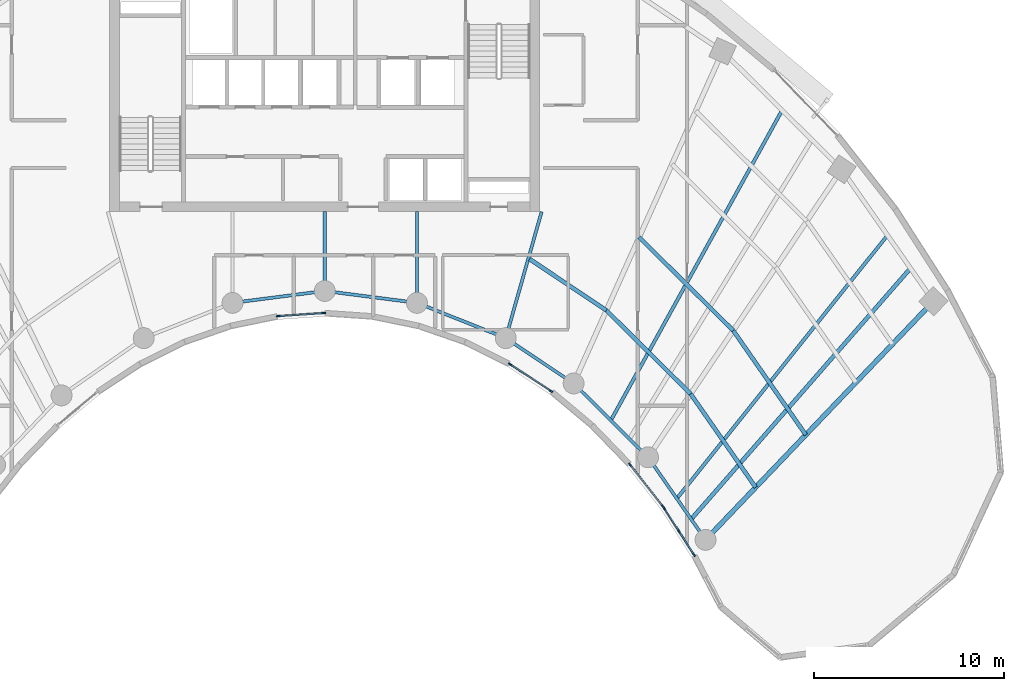
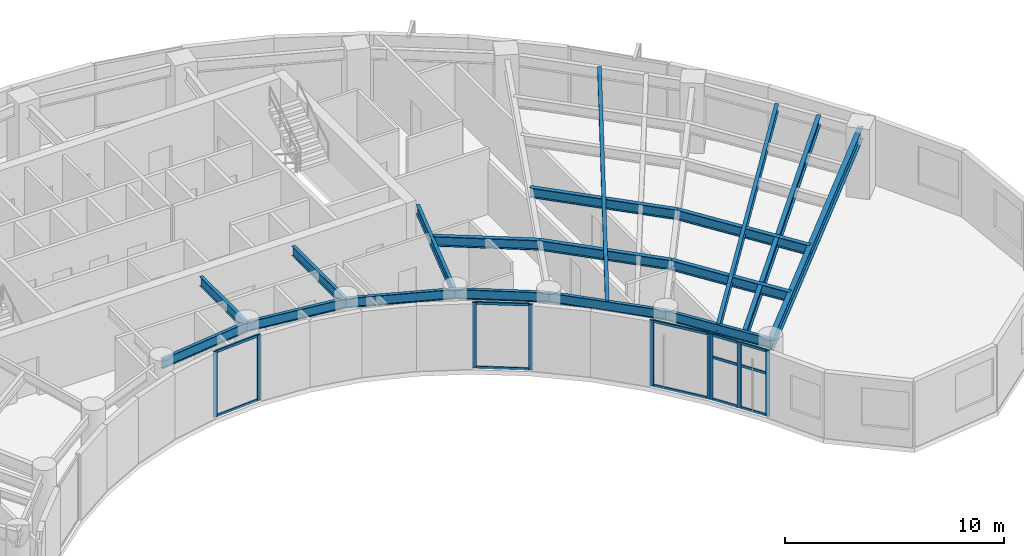
# One storey, part 3 of 13: 21 members, 18 beams, 4 elements without a shape of their own.
"""IFC4 building model written with IfcOpenShell, lengths in metres."""

import ifcopenshell
import ifcopenshell.guid

model = None  # the IFC model being written
_history = None  # IfcOwnerHistory: only IFC2X3 demands one
_inside = {}  # id of a spatial element -> (the spatial element, [elements in it])
_under = {}  # id of a project, library or spatial element -> (it, [spatial elements below it])
_declared = {}  # id of a project -> (the project, [libraries it declares])
_typed = {}  # id of a type object -> (the type object, [elements of that type])
_made_of = {}  # id of a material, layer set ... -> (it, [elements and type objects made of it])


def new_model(schema):
    """Start an empty IFC model of exactly this schema.

    Asked for "IFC4X3", IfcOpenShell would pick the latest addendum, in which some entities
    have other attributes; the version numbers below select the first issue.
    IFC2X3 requires an IfcOwnerHistory on every rooted entity: one is made here for all.
    """
    global model, _history
    if schema == "IFC4X3":
        model = ifcopenshell.file(schema_version=(4, 3, 0, 0))
    else:
        model = ifcopenshell.file(schema=schema)
    _inside.clear()
    _under.clear()
    _declared.clear()
    _typed.clear()
    _made_of.clear()
    _history = None
    if model.schema == "IFC2X3":
        org = make("IfcOrganization", Name="unknown")
        user = make(
            "IfcPersonAndOrganization",
            ThePerson=make("IfcPerson", FamilyName="unknown"),
            TheOrganization=org,
        )
        app = make(
            "IfcApplication",
            ApplicationDeveloper=org,
            Version="unknown",
            ApplicationFullName="unknown",
            ApplicationIdentifier="unknown",
        )
        _history = make(
            "IfcOwnerHistory",
            OwningUser=user,
            OwningApplication=app,
            ChangeAction="ADDED",
            CreationDate=0,
        )
    return model


def make(cls, **values):
    """One entity of the class cls with the attributes given. An attribute that is None is left unset."""
    return model.create_entity(
        cls, **{name: value for name, value in values.items() if value is not None}
    )


def rooted(cls, **values):
    """An entity with a GlobalId (a new one), such as an element, a storey or a relation."""
    return make(cls, GlobalId=ifcopenshell.guid.new(), OwnerHistory=_history, **values)


def si_unit(unit_type, name, prefix=None):
    """IfcSIUnit, for example si_unit("LENGTHUNIT", "METRE", prefix="MILLI")."""
    return make("IfcSIUnit", UnitType=unit_type, Prefix=prefix, Name=name)


def assignment(units):
    """IfcUnitAssignment: the units of a project."""
    return None if units is None else make("IfcUnitAssignment", Units=units)


def point(xyz):
    """IfcCartesianPoint."""
    return None if xyz is None else make("IfcCartesianPoint", Coordinates=xyz)


def direction(xyz):
    """IfcDirection."""
    return None if xyz is None else make("IfcDirection", DirectionRatios=xyz)


def frame(location, z_axis=None, x_axis=None):
    """IfcAxis2Placement3D, a coordinate frame: its origin and axes. An axis left out is left unset."""
    return make(
        "IfcAxis2Placement3D",
        Location=point(location),
        Axis=direction(z_axis),
        RefDirection=direction(x_axis),
    )


def frame_2d(location, x_axis=None):
    """IfcAxis2Placement2D, a coordinate frame in the plane: its origin and x axis."""
    return make(
        "IfcAxis2Placement2D", Location=point(location), RefDirection=direction(x_axis)
    )


def origin():
    """The frame at (0, 0, 0) with its axes left unset."""
    return frame((0.0, 0.0, 0.0))


def origin_2d():
    """The frame at (0, 0) in the plane with its x axis left unset."""
    return frame_2d((0.0, 0.0))


def place(relative_to, where):
    """IfcLocalPlacement: puts the frame where relative to a parent placement (None: the world)."""
    return make(
        "IfcLocalPlacement", PlacementRelTo=relative_to, RelativePlacement=where
    )


def context(
    kind, dimensions, precision=None, world=None, true_north=None, identifier=None
):
    """IfcGeometricRepresentationContext, for example the 3D "Model" context."""
    return make(
        "IfcGeometricRepresentationContext",
        ContextIdentifier=identifier,
        ContextType=kind,
        CoordinateSpaceDimension=dimensions,
        Precision=precision,
        WorldCoordinateSystem=world,
        TrueNorth=true_north,
    )


def subcontext(parent, identifier, kind, view, scale=None):
    """IfcGeometricRepresentationSubContext, for example "Body" below "Model"."""
    return make(
        "IfcGeometricRepresentationSubContext",
        ContextIdentifier=identifier,
        ContextType=kind,
        ParentContext=parent,
        TargetScale=scale,
        TargetView=view,
    )


def project(units=None, contexts=None):
    """IfcProject with its units and contexts."""
    return rooted(
        "IfcProject",
        Name="project",
        RepresentationContexts=contexts,
        UnitsInContext=assignment(units),
    )


def spatial(cls, under=None, at=None, **own):
    """A site, building, storey or space (cls), placed at a placement, below another one or the project."""
    s = rooted(cls, ObjectPlacement=at, **own)
    if under is not None:
        _under.setdefault(under.id(), (under, []))[1].append(s)
    return s


def profile(cls, at=None, kind="AREA", **sizes):
    """A parametric profile (cls). Its sizes go by their IFC names, for example OverallWidth=200.0."""
    return make(cls, ProfileType=kind, Position=at, **sizes)


def rectangle(**sizes):
    """IfcRectangleProfileDef."""
    return profile("IfcRectangleProfileDef", **sizes)


def i_section(**sizes):
    """IfcIShapeProfileDef."""
    return profile("IfcIShapeProfileDef", **sizes)


def extrude(swept, where, along, depth):
    """IfcExtrudedAreaSolid: the profile swept, set in the frame where, extruded along a direction by depth."""
    return make(
        "IfcExtrudedAreaSolid",
        SweptArea=swept,
        Position=where,
        ExtrudedDirection=direction(along),
        Depth=depth,
    )


def shape(context_of_items, identifier, shape_type, items):
    """IfcShapeRepresentation: the items that make up one representation, for example the "Body"."""
    return make(
        "IfcShapeRepresentation",
        ContextOfItems=context_of_items,
        RepresentationIdentifier=identifier,
        RepresentationType=shape_type,
        Items=items,
    )


def source(mapping_origin, context_of_items, identifier, shape_type, items):
    """IfcRepresentationMap: a shape defined once, which mapped items show again and again."""
    return make(
        "IfcRepresentationMap",
        MappingOrigin=mapping_origin,
        MappedRepresentation=shape(context_of_items, identifier, shape_type, items),
    )


def transform(
    local_origin,
    x_axis=None,
    y_axis=None,
    z_axis=None,
    scale=None,
    scale2=None,
    scale3=None,
    uniform=True,
):
    """IfcCartesianTransformationOperator3D, or its non-uniform kind. x_axis, y_axis, z_axis: its Axis1, 2, 3."""
    if uniform:
        return make(
            "IfcCartesianTransformationOperator3D",
            Axis1=direction(x_axis),
            Axis2=direction(y_axis),
            LocalOrigin=point(local_origin),
            Scale=scale,
            Axis3=direction(z_axis),
        )
    return make(
        "IfcCartesianTransformationOperator3DnonUniform",
        Axis1=direction(x_axis),
        Axis2=direction(y_axis),
        LocalOrigin=point(local_origin),
        Scale=scale,
        Axis3=direction(z_axis),
        Scale2=scale2,
        Scale3=scale3,
    )


def mapped(mapping_source, mapping_target):
    """IfcMappedItem: shows the shape of a source again, moved by a transform."""
    return make(
        "IfcMappedItem", MappingSource=mapping_source, MappingTarget=mapping_target
    )


def material(Name=None, Category=None):
    """IfcMaterial."""
    return make("IfcMaterial", Name=Name, Category=Category)


def layer(
    of_material, thickness, ventilated=None, Name=None, Category=None, Priority=None
):
    """IfcMaterialLayer: one layer of a wall or slab, of a material (None: an air gap)."""
    return make(
        "IfcMaterialLayer",
        Material=of_material,
        LayerThickness=thickness,
        IsVentilated=ventilated,
        Name=Name,
        Category=Category,
        Priority=Priority,
    )


def layer_set(layers, Name=None):
    """IfcMaterialLayerSet."""
    return make("IfcMaterialLayerSet", MaterialLayers=layers, LayerSetName=Name)


def material_profile(
    of_material, cross_section, Name=None, Category=None, Priority=None
):
    """IfcMaterialProfile: a cross section and its material."""
    return make(
        "IfcMaterialProfile",
        Name=Name,
        Material=of_material,
        Profile=cross_section,
        Priority=Priority,
        Category=Category,
    )


def profile_set(profiles, Name=None, composite=None):
    """IfcMaterialProfileSet."""
    return make(
        "IfcMaterialProfileSet",
        Name=Name,
        MaterialProfiles=profiles,
        CompositeProfile=composite,
    )


def made_of(thing, what):
    """Note that an element or type object is made of a material, layer set ...; save() writes the relation."""
    if what is not None:
        _made_of.setdefault(what.id(), (what, []))[1].append(thing)
    return thing


def type_object(cls, material=None, **own):
    """A type object (cls), such as IfcWallType, which elements share."""
    return made_of(rooted(cls, **own), material)


def type_shapes(of_type, sources):
    """Give a type object the sources (RepresentationMaps) that its elements show as mapped items."""
    of_type.RepresentationMaps = sources


def element(
    cls,
    number,
    at=None,
    inside=None,
    cuts=None,
    type_object=None,
    material=None,
    context=None,
    identifier="Body",
    shape_type=None,
    held_by="IfcProductDefinitionShape",
    body=None,
    shapes=None,
    **own,
):
    """One element of the class cls, such as IfcWall. Its Tag is "e" and its number.

    at: its placement. inside: the storey or other place that contains it. cuts: it is an
    opening in that element (IfcRelVoidsElement). A single representation is given by context,
    identifier, shape_type and body (its items); several are given by shapes. held_by: the class
    of the entity that holds the representations. save() writes the other relations.
    """
    e = rooted(cls, Tag="e%d" % number, ObjectPlacement=at, **own)
    if body is not None:
        shapes = [shape(context, identifier, shape_type, body)]
    if shapes is not None:
        e.Representation = make(held_by, Representations=shapes)
    if inside is not None:
        _inside.setdefault(inside.id(), (inside, []))[1].append(e)
    if cuts is not None:
        rooted(
            "IfcRelVoidsElement", RelatingBuildingElement=cuts, RelatedOpeningElement=e
        )
    if type_object is not None:
        _typed.setdefault(type_object.id(), (type_object, []))[1].append(e)
    return made_of(e, material)


def aggregate(whole, parts):
    """IfcRelAggregates: a whole, such as a stair, and the parts it consists of."""
    return rooted("IfcRelAggregates", RelatingObject=whole, RelatedObjects=parts)


def save(model, path):
    """Write the relations noted so far, then the file.

    IfcRelAggregates (storeys below a building ...), IfcRelContainedInSpatialStructure (elements
    in a storey), IfcRelDefinesByType, IfcRelAssociatesMaterial and IfcRelDeclares: one each for
    every whole, place, type object, material and project.
    """
    for whole, parts in _under.values():
        aggregate(whole, parts)
    for where, things in _inside.values():
        rooted(
            "IfcRelContainedInSpatialStructure",
            RelatedElements=things,
            RelatingStructure=where,
        )
    for kind, things in _typed.values():
        rooted("IfcRelDefinesByType", RelatedObjects=things, RelatingType=kind)
    for what, things in _made_of.values():
        rooted("IfcRelAssociatesMaterial", RelatedObjects=things, RelatingMaterial=what)
    for by, libraries in _declared.values():
        rooted("IfcRelDeclares", RelatingContext=by, RelatedDefinitions=libraries)
    model.write(path)


model = new_model("IFC4")

# Units and contexts
model_context = context("Model", 3, precision=1e-05, world=origin(), true_north=direction((0.0, 1.0)))
body_context = subcontext(model_context, "Body", "Model", "MODEL_VIEW")
ifc_project = project(units=[si_unit("LENGTHUNIT", "METRE"), si_unit("AREAUNIT", "SQUARE_METRE"), si_unit("VOLUMEUNIT", "CUBIC_METRE"), si_unit("PLANEANGLEUNIT", "RADIAN"), si_unit("MASSUNIT", "GRAM", prefix="KILO")], contexts=[model_context])

# Site, building, storey
site_placement = place(None, origin())
site = spatial("IfcSite", under=ifc_project, at=site_placement, CompositionType="ELEMENT")
building_placement = place(site_placement, origin())
building = spatial("IfcBuilding", under=site, at=building_placement, Name="Breltana Convention Tower", CompositionType="ELEMENT")
storey_placement = place(building_placement, frame((0.0, 0.0, 174.0)))
storey = spatial("IfcBuildingStorey", under=building, at=storey_placement, Name="L42", CompositionType="ELEMENT", Elevation=174.0)

# Beams
ifc_material_1 = material(Name="Steel ASTM A992 Grade 50", Category="steel")
ifc_material_profile_1 = material_profile(ifc_material_1, i_section(OverallWidth=0.179931640625, OverallDepth=0.4130859375, WebThickness=0.009765625, FlangeThickness=0.01611328125, at=origin_2d()), Name="W16X50")
ifc_profile_set_1 = profile_set([ifc_material_profile_1], Name="Steel ASTM A992 Grade 50")
beam_type_1 = type_object("IfcBeamType", Name="BM-JSG-08", PredefinedType="JOIST", material=ifc_profile_set_1)
shared_shape_1 = source(origin(), body_context, "Body", "SweptSolid", [
    extrude(i_section(OverallWidth=0.179931640625, OverallDepth=0.4130859375, WebThickness=0.009765625, FlangeThickness=0.01611328125, at=origin_2d()), origin(), (0.0, 0.0, 1.0), 18.617431640625),
])
beam_1_placement = place(storey_placement, frame((63.038818359375, 49.234130859375, 3.443603515625), z_axis=(0.483405602507, 0.875396495004, 0.0), x_axis=(-0.875396495004, 0.483405602507, 0.0)))
element("IfcBeam", 1, at=beam_1_placement, inside=storey, type_object=beam_type_1, Name="L42 Mid-Bay Radial Trimmer 09", PredefinedType="JOIST", context=body_context, shape_type="MappedRepresentation", body=[
    mapped(shared_shape_1, transform((0.0, 0.0, 0.0), scale=1.0)),
])
shared_shape_2 = source(origin(), body_context, "Body", "SweptSolid", [
    extrude(i_section(OverallWidth=0.179931640625, OverallDepth=0.4130859375, WebThickness=0.009765625, FlangeThickness=0.01611328125, at=origin_2d()), origin(), (0.0, 0.0, 1.0), 17.7236328125),
])
beam_2_placement = place(storey_placement, frame((66.505615234375, 45.124267578125, 3.443603515625), z_axis=(0.624829427563, 0.78076128647, 0.0), x_axis=(-0.78076128647, 0.624829427563, 0.0)))
element("IfcBeam", 2, at=beam_2_placement, inside=storey, type_object=beam_type_1, Name="L42 Mid-Bay Radial Trimmer 10", PredefinedType="JOIST", context=body_context, shape_type="MappedRepresentation", body=[
    mapped(shared_shape_2, transform((0.0, 0.0, 0.0), scale=1.0)),
])
ifc_material_profile_2 = material_profile(ifc_material_1, i_section(OverallWidth=0.214111328125, OverallDepth=0.549072265625, WebThickness=0.0146484375, FlangeThickness=0.023681640625, at=origin_2d()), Name="W21X93")
ifc_profile_set_2 = profile_set([ifc_material_profile_2], Name="Steel ASTM A992 Grade 50")
beam_type_2 = type_object("IfcBeamType", Name="BM-JSG-03", PredefinedType="JOIST", material=ifc_profile_set_2)
shared_shape_3 = source(origin(), body_context, "Body", "SweptSolid", [
    extrude(i_section(OverallWidth=0.214111328125, OverallDepth=0.549072265625, WebThickness=0.0146484375, FlangeThickness=0.023681640625, at=origin_2d()), origin(), (0.0, 0.0, 1.0), 17.515625),
])
beam_3_placement = place(storey_placement, frame((67.260498046875, 44.03955078125, 3.37548828125), z_axis=(0.658051548324, 0.752972881151, 0.0), x_axis=(-0.752972881151, 0.658051548324, 0.0)))
element("IfcBeam", 3, at=beam_3_placement, inside=storey, type_object=beam_type_2, Name="L42 Quarter-Bay Radial Trimmer 10", PredefinedType="JOIST", context=body_context, shape_type="MappedRepresentation", body=[
    mapped(shared_shape_3, transform((0.0, 0.0, 0.0), scale=1.0)),
])
shared_shape_4 = source(origin(), body_context, "Body", "SweptSolid", [
    extrude(i_section(OverallWidth=0.214111328125, OverallDepth=0.549072265625, WebThickness=0.0146484375, FlangeThickness=0.023681640625, at=origin_2d()), origin(), (0.0, 0.0, 1.0), 4.854736328125),
])
beam_4_placement = place(storey_placement, frame((58.767578125, 57.71240234375, 3.37548828125), z_axis=(0.831485074305, -0.555547091801, 0.0), x_axis=(0.555547091801, 0.831485074305, 0.0)))
element("IfcBeam", 4, at=beam_4_placement, inside=storey, type_object=beam_type_2, Name="L42 Composite Floor Joist 08.1", PredefinedType="JOIST", context=body_context, shape_type="MappedRepresentation", body=[
    mapped(shared_shape_4, transform((0.0, 0.0, 0.0), scale=1.0)),
])
shared_shape_5 = source(origin(), body_context, "Body", "SweptSolid", [
    extrude(i_section(OverallWidth=0.214111328125, OverallDepth=0.549072265625, WebThickness=0.0146484375, FlangeThickness=0.023681640625, at=origin_2d()), origin(), (0.0, 0.0, 1.0), 6.2373046875),
])
beam_5_placement = place(storey_placement, frame((62.80419921875, 55.015380859375, 3.37548828125), z_axis=(0.710114292485, -0.704086423394, 0.0), x_axis=(0.704086423394, 0.710114292485, 0.0)))
element("IfcBeam", 5, at=beam_5_placement, inside=storey, type_object=beam_type_2, Name="L42 Composite Floor Joist 09.1", PredefinedType="JOIST", context=body_context, shape_type="MappedRepresentation", body=[
    mapped(shared_shape_5, transform((0.0, 0.0, 0.0), scale=1.0)),
])
shared_shape_6 = source(origin(), body_context, "Body", "SweptSolid", [
    extrude(i_section(OverallWidth=0.214111328125, OverallDepth=0.549072265625, WebThickness=0.0146484375, FlangeThickness=0.023681640625, at=origin_2d()), origin(), (0.0, 0.0, 1.0), 6.963134765625),
])
beam_6_placement = place(storey_placement, frame((64.526611328125, 58.8564453125, 3.37548828125), z_axis=(0.71009817493, -0.704102678564, 0.0), x_axis=(0.704102678564, 0.71009817493, 0.0)))
element("IfcBeam", 6, at=beam_6_placement, inside=storey, type_object=beam_type_2, Name="L42 Composite Floor Joist 09.2", PredefinedType="JOIST", context=body_context, shape_type="MappedRepresentation", body=[
    mapped(shared_shape_6, transform((0.0, 0.0, 0.0), scale=1.0)),
])
shared_shape_7 = source(origin(), body_context, "Body", "SweptSolid", [
    extrude(i_section(OverallWidth=0.214111328125, OverallDepth=0.549072265625, WebThickness=0.0146484375, FlangeThickness=0.023681640625, at=origin_2d()), origin(), (0.0, 0.0, 1.0), 5.982421875),
])
beam_7_placement = place(storey_placement, frame((67.2333984375, 50.623779296875, 3.37548828125), z_axis=(0.571211549446, -0.82080287876, 0.0), x_axis=(0.82080287876, 0.571211549446, 0.0)))
element("IfcBeam", 7, at=beam_7_placement, inside=storey, type_object=beam_type_2, Name="L42 Composite Floor Joist 10.1", PredefinedType="JOIST", context=body_context, shape_type="MappedRepresentation", body=[
    mapped(shared_shape_7, transform((0.0, 0.0, 0.0), scale=1.0)),
])
shared_shape_8 = source(origin(), body_context, "Body", "SweptSolid", [
    extrude(i_section(OverallWidth=0.214111328125, OverallDepth=0.549072265625, WebThickness=0.0146484375, FlangeThickness=0.023681640625, at=origin_2d()), origin(), (0.0, 0.0, 1.0), 6.677978515625),
])
beam_8_placement = place(storey_placement, frame((69.47119140625, 53.95361328125, 3.37548828125), z_axis=(0.571193018768, -0.820815774282, 0.0), x_axis=(0.820815774282, 0.571193018768, 0.0)))
element("IfcBeam", 8, at=beam_8_placement, inside=storey, type_object=beam_type_2, Name="L42 Composite Floor Joist 10.2", PredefinedType="JOIST", context=body_context, shape_type="MappedRepresentation", body=[
    mapped(shared_shape_8, transform((0.0, 0.0, 0.0), scale=1.0)),
])
ifc_material_profile_3 = material_profile(ifc_material_1, i_section(OverallWidth=0.25390625, OverallDepth=0.68798828125, WebThickness=0.01318359375, FlangeThickness=0.02099609375, at=origin_2d()), Name="W27X102")
ifc_profile_set_3 = profile_set([ifc_material_profile_3], Name="Steel ASTM A992 Grade 50")
beam_type_3 = type_object("IfcBeamType", Name="BM-RG-W27X102", PredefinedType="USERDEFINED", material=ifc_profile_set_3)
shared_shape_9 = source(origin(), body_context, "Body", "SweptSolid", [
    extrude(i_section(OverallWidth=0.25390625, OverallDepth=0.68798828125, WebThickness=0.01318359375, FlangeThickness=0.02099609375, at=origin_2d()), origin(), (0.0, 0.0, 1.0), 17.341064453125),
])
type_shapes(beam_type_3, [shared_shape_9])
beam_9_placement = place(storey_placement, frame((68.015380859375, 42.95458984375, 3.305908203125), z_axis=(0.690716462293, 0.723125693581, 0.0), x_axis=(-0.723125693581, 0.690716462293, 0.0)))
element("IfcBeam", 9, at=beam_9_placement, inside=storey, type_object=beam_type_3, Name="L42 Radial Floor Girder R11", ObjectType="GIRDER", PredefinedType="USERDEFINED", context=body_context, shape_type="MappedRepresentation", body=[
    mapped(shared_shape_9, transform((0.0, 0.0, 0.0), scale=1.0)),
])
ifc_material_profile_4 = material_profile(ifc_material_1, i_section(OverallWidth=0.166015625, OverallDepth=0.534912109375, WebThickness=0.01025390625, FlangeThickness=0.0166015625, at=origin_2d()), Name="W21X57")
ifc_profile_set_4 = profile_set([ifc_material_profile_4], Name="Steel ASTM A992 Grade 50")
beam_type_4 = type_object("IfcBeamType", Name="BM-BM-W21X57", PredefinedType="BEAM", material=ifc_profile_set_4)
shared_shape_10 = source(origin(), body_context, "Body", "SweptSolid", [
    extrude(i_section(OverallWidth=0.166015625, OverallDepth=0.534912109375, WebThickness=0.01025390625, FlangeThickness=0.0166015625, at=origin_2d()), origin(), (0.0, 0.0, 1.0), 6.904541015625),
])
type_shapes(beam_type_4, [shared_shape_10])
beam_10_placement = place(storey_placement, frame((59.39990234375, 60.199951171875, 3.382568359375), z_axis=(-0.273006781054, -0.962012108811, 0.0), x_axis=(0.962012108811, -0.273006781054, 0.0)))
element("IfcBeam", 10, at=beam_10_placement, inside=storey, type_object=beam_type_4, Name="L42 South Core Tie Girder R08", PredefinedType="BEAM", context=body_context, shape_type="MappedRepresentation", body=[
    mapped(shared_shape_10, transform((0.0, 0.0, 0.0), scale=1.0)),
])
shared_shape_11 = source(origin(), body_context, "Body", "SweptSolid", [
    extrude(i_section(OverallWidth=0.166015625, OverallDepth=0.534912109375, WebThickness=0.01025390625, FlangeThickness=0.0166015625, at=origin_2d()), origin(), (0.0, 0.0, 1.0), 4.789306640625),
])
beam_11_placement = place(storey_placement, frame((52.846435546875, 60.199951171875, 3.382568359375), z_axis=(0.0, -1.0, 0.0), x_axis=(1.0, 0.0, 0.0)))
element("IfcBeam", 11, at=beam_11_placement, inside=storey, type_object=beam_type_4, Name="L42 South Core Tie Girder R07", PredefinedType="BEAM", context=body_context, shape_type="MappedRepresentation", body=[
    mapped(shared_shape_11, transform((0.0, 0.0, 0.0), scale=1.0)),
])
shared_shape_12 = source(origin(), body_context, "Body", "SweptSolid", [
    extrude(i_section(OverallWidth=0.166015625, OverallDepth=0.534912109375, WebThickness=0.01025390625, FlangeThickness=0.0166015625, at=origin_2d()), origin(), (0.0, 0.0, 1.0), 4.1640625),
])
beam_12_placement = place(storey_placement, frame((48.0, 60.199951171875, 3.382568359375), z_axis=(0.0, -1.0, 0.0), x_axis=(1.0, 0.0, 0.0)))
element("IfcBeam", 12, at=beam_12_placement, inside=storey, type_object=beam_type_4, Name="L42 South Core Tie Girder R06", PredefinedType="BEAM", context=body_context, shape_type="MappedRepresentation", body=[
    mapped(shared_shape_12, transform((0.0, 0.0, 0.0), scale=1.0)),
])
shared_shape_13 = source(origin(), body_context, "Body", "SweptSolid", [
    extrude(i_section(OverallWidth=0.166015625, OverallDepth=0.534912109375, WebThickness=0.01025390625, FlangeThickness=0.0166015625, at=origin_2d()), origin(), (0.0, 0.0, 1.0), 5.022705078125),
])
beam_13_placement = place(storey_placement, frame((52.846435546875, 55.41064453125, 3.382568359375), z_axis=(0.929458966248, -0.368925507469, 0.0), x_axis=(0.368925507469, 0.929458966248, 0.0)))
element("IfcBeam", 13, at=beam_13_placement, inside=storey, type_object=beam_type_4, Name="L42 Inner Ring Beam 07", PredefinedType="BEAM", context=body_context, shape_type="MappedRepresentation", body=[
    mapped(shared_shape_13, transform((0.0, 0.0, 0.0), scale=1.0)),
])
shared_shape_14 = source(origin(), body_context, "Body", "SweptSolid", [
    extrude(i_section(OverallWidth=0.166015625, OverallDepth=0.534912109375, WebThickness=0.01025390625, FlangeThickness=0.0166015625, at=origin_2d()), origin(), (0.0, 0.0, 1.0), 4.88671875),
])
for number, where, z_axis, x_axis, name in (
    (14, (43.153564453125, 55.41064453125, 3.382568359375), (0.991780525565, 0.127950729231, 0.0), (-0.127950729231, 0.991780525565, 0.0), "L42 Inner Ring Beam 05"),
    (15, (48.0, 56.035888671875, 3.382568359375), (0.991780525565, -0.127950729231, 0.0), (0.127950729231, 0.991780525565, 0.0), "L42 Inner Ring Beam 06"),
):
    element("IfcBeam", number, at=place(storey_placement, frame(where, z_axis=z_axis, x_axis=x_axis)), inside=storey, type_object=beam_type_4, Name=name, PredefinedType="BEAM", context=body_context, shape_type="MappedRepresentation", body=[
        mapped(shared_shape_14, transform((0.0, 0.0, 0.0), scale=1.0)),
    ])
shared_shape_15 = source(origin(), body_context, "Body", "SweptSolid", [
    extrude(i_section(OverallWidth=0.166015625, OverallDepth=0.534912109375, WebThickness=0.01025390625, FlangeThickness=0.0166015625, at=origin_2d()), origin(), (0.0, 0.0, 1.0), 4.2900390625),
])
beam_14_placement = place(storey_placement, frame((57.514892578125, 53.5576171875, 3.382568359375), z_axis=(0.831515827753, -0.555501060482, 0.0), x_axis=(0.555501060482, 0.831515827753, 0.0)))
element("IfcBeam", 16, at=beam_14_placement, inside=storey, type_object=beam_type_4, Name="L42 Inner Ring Beam 08", PredefinedType="BEAM", context=body_context, shape_type="MappedRepresentation", body=[
    mapped(shared_shape_15, transform((0.0, 0.0, 0.0), scale=1.0)),
])
shared_shape_16 = source(origin(), body_context, "Body", "SweptSolid", [
    extrude(i_section(OverallWidth=0.166015625, OverallDepth=0.534912109375, WebThickness=0.01025390625, FlangeThickness=0.0166015625, at=origin_2d()), origin(), (0.0, 0.0, 1.0), 5.51171875),
])
beam_15_placement = place(storey_placement, frame((61.08203125, 51.174560546875, 3.382568359375), z_axis=(0.710090360749, -0.704110559196, 0.0), x_axis=(0.704110559196, 0.710090360749, 0.0)))
element("IfcBeam", 17, at=beam_15_placement, inside=storey, type_object=beam_type_4, Name="L42 Inner Ring Beam 09", PredefinedType="BEAM", context=body_context, shape_type="MappedRepresentation", body=[
    mapped(shared_shape_16, transform((0.0, 0.0, 0.0), scale=1.0)),
])
shared_shape_17 = source(origin(), body_context, "Body", "SweptSolid", [
    extrude(i_section(OverallWidth=0.166015625, OverallDepth=0.534912109375, WebThickness=0.01025390625, FlangeThickness=0.0166015625, at=origin_2d()), origin(), (0.0, 0.0, 1.0), 5.286376953125),
])
beam_16_placement = place(storey_placement, frame((64.995849609375, 47.293701171875, 3.382568359375), z_axis=(0.571194382458, -0.82081482531, 0.0), x_axis=(0.82081482531, 0.571194382458, 0.0)))
element("IfcBeam", 18, at=beam_16_placement, inside=storey, type_object=beam_type_4, Name="L42 Inner Ring Beam 10", PredefinedType="BEAM", context=body_context, shape_type="MappedRepresentation", body=[
    mapped(shared_shape_17, transform((0.0, 0.0, 0.0), scale=1.0)),
])

# Curtain wall, members
ifc_material_2 = material(Name="Aluminium Anodised Bronze Frame", Category="aluminium")
ifc_layer = layer(ifc_material_2, 0.18994140625, Name="Aluminium Anodised Bronze Frame")
ifc_layer_set = layer_set([ifc_layer], Name="Aluminium Anodised Bronze Frame")
curtain_wall_type = type_object("IfcCurtainWallType", Name="CW-SYS-1", PredefinedType="NOTDEFINED", material=ifc_layer_set)
curtain_wall_1_placement = place(storey_placement, origin())
curtain_wall_1 = element("IfcCurtainWall", 19, at=curtain_wall_1_placement, inside=storey, type_object=curtain_wall_type, Name="L42 inner south-court glazing 1", PredefinedType="NOTDEFINED")
ifc_material_3 = material(Name="Aluminium Anodised Bronze", Category="aluminium")
ifc_material_profile_5 = material_profile(ifc_material_3, rectangle(XDim=0.080078125, YDim=0.199951171875, at=origin_2d()), Name="CWM-80X200")
ifc_profile_set_5 = profile_set([ifc_material_profile_5], Name="Aluminium Anodised Bronze")
member_type_1 = type_object("IfcMemberType", Name="CWM-200", PredefinedType="MULLION", material=ifc_profile_set_5)
shared_shape_18 = source(origin(), body_context, "Body", "SweptSolid", [
    extrude(rectangle(XDim=0.080078125, YDim=0.199951171875, at=origin_2d()), origin(), (0.0, 0.0, 1.0), 3.64990234375),
])
member_1_placement = place(storey_placement, frame((67.40966796875, 42.17041015625, 0.0), z_axis=(0.0, 0.0, 1.0), x_axis=(-0.841546744491, -0.540184298954, 0.0)))
member_1 = element("IfcMember", 20, at=member_1_placement, type_object=member_type_1, Name="CW-01 mullion 1", PredefinedType="MULLION", context=body_context, shape_type="MappedRepresentation", body=[
    mapped(shared_shape_18, transform((0.0, 0.0, 0.0), scale=1.0)),
])
member_2_placement = place(storey_placement, frame((66.626220703125, 43.390869140625, 0.0), z_axis=(0.0, 0.0, 1.0), x_axis=(-0.841546744491, -0.540184298954, 0.0)))
member_2 = element("IfcMember", 21, at=member_2_placement, type_object=member_type_1, Name="CW-01 mullion 2", PredefinedType="MULLION", context=body_context, shape_type="MappedRepresentation", body=[
    mapped(shared_shape_18, transform((0.0, 0.0, 0.0), scale=1.0)),
])
member_3_placement = place(storey_placement, frame((65.843017578125, 44.611328125, 0.0), z_axis=(0.0, 0.0, 1.0), x_axis=(-0.841546744491, -0.540184298954, 0.0)))
member_3 = element("IfcMember", 22, at=member_3_placement, type_object=member_type_1, Name="CW-01 mullion 3", PredefinedType="MULLION", context=body_context, shape_type="MappedRepresentation", body=[
    mapped(shared_shape_18, transform((0.0, 0.0, 0.0), scale=1.0)),
])

curtain_wall_2_placement = place(storey_placement, origin())
curtain_wall_2 = element("IfcCurtainWall", 23, at=curtain_wall_2_placement, inside=storey, type_object=curtain_wall_type, Name="L42 inner south-court glazing 2", PredefinedType="NOTDEFINED")
member_4_placement = place(storey_placement, frame((65.78662109375, 44.6904296875, 0.0), z_axis=(0.0, 0.0, 1.0), x_axis=(-0.786051168431, -0.618161435717, 0.0)))
member_4 = element("IfcMember", 24, at=member_4_placement, type_object=member_type_1, Name="CW-01 mullion 1", PredefinedType="MULLION", context=body_context, shape_type="MappedRepresentation", body=[
    mapped(shared_shape_18, transform((0.0, 0.0, 0.0), scale=1.0)),
])
member_5_placement = place(storey_placement, frame((64.045166015625, 46.905029296875, 0.0), z_axis=(0.0, 0.0, 1.0), x_axis=(-0.786051168431, -0.618161435717, 0.0)))
member_5 = element("IfcMember", 25, at=member_5_placement, type_object=member_type_1, Name="CW-01 mullion 2", PredefinedType="MULLION", context=body_context, shape_type="MappedRepresentation", body=[
    mapped(shared_shape_18, transform((0.0, 0.0, 0.0), scale=1.0)),
])

curtain_wall_3_placement = place(storey_placement, origin())
curtain_wall_3 = element("IfcCurtainWall", 26, at=curtain_wall_3_placement, inside=storey, type_object=curtain_wall_type, Name="L42 inner south-court glazing 3", PredefinedType="NOTDEFINED")
member_6_placement = place(storey_placement, frame((59.894775390625, 50.76904296875, 0.0), z_axis=(0.0, 0.0, 1.0), x_axis=(-0.548751973252, -0.835985210307, 0.0)))
member_6 = element("IfcMember", 27, at=member_6_placement, type_object=member_type_1, Name="CW-01 mullion 1", PredefinedType="MULLION", context=body_context, shape_type="MappedRepresentation", body=[
    mapped(shared_shape_18, transform((0.0, 0.0, 0.0), scale=1.0)),
])
member_7_placement = place(storey_placement, frame((57.744384765625, 52.1806640625, 0.0), z_axis=(0.0, 0.0, 1.0), x_axis=(-0.548751973252, -0.835985210307, 0.0)))
member_7 = element("IfcMember", 28, at=member_7_placement, type_object=member_type_1, Name="CW-01 mullion 2", PredefinedType="MULLION", context=body_context, shape_type="MappedRepresentation", body=[
    mapped(shared_shape_18, transform((0.0, 0.0, 0.0), scale=1.0)),
])

curtain_wall_4_placement = place(storey_placement, origin())
curtain_wall_4 = element("IfcCurtainWall", 29, at=curtain_wall_4_placement, inside=storey, type_object=curtain_wall_type, Name="L42 inner south-court glazing 4", PredefinedType="NOTDEFINED")
member_8_placement = place(storey_placement, frame((47.947998046875, 54.872802734375, 0.0), z_axis=(0.0, 0.0, 1.0), x_axis=(0.067732810965, -0.997703496195, 0.0)))
member_8 = element("IfcMember", 30, at=member_8_placement, type_object=member_type_1, Name="CW-01 mullion 1", PredefinedType="MULLION", context=body_context, shape_type="MappedRepresentation", body=[
    mapped(shared_shape_18, transform((0.0, 0.0, 0.0), scale=1.0)),
])
member_9_placement = place(storey_placement, frame((45.56201171875, 54.7109375, 0.0), z_axis=(0.0, 0.0, 1.0), x_axis=(0.067732810965, -0.997703496195, 0.0)))
member_9 = element("IfcMember", 31, at=member_9_placement, type_object=member_type_1, Name="CW-01 mullion 2", PredefinedType="MULLION", context=body_context, shape_type="MappedRepresentation", body=[
    mapped(shared_shape_18, transform((0.0, 0.0, 0.0), scale=1.0)),
])

# Member
ifc_material_profile_6 = material_profile(ifc_material_3, rectangle(XDim=0.080078125, YDim=0.139892578125, at=origin_2d()), Name="CWT-80X140")
ifc_profile_set_6 = profile_set([ifc_material_profile_6], Name="Aluminium Anodised Bronze")
member_type_2 = type_object("IfcMemberType", Name="CWT-140", PredefinedType="USERDEFINED", material=ifc_profile_set_6)
shared_shape_19 = source(origin(), body_context, "Body", "SweptSolid", [
    extrude(rectangle(XDim=0.080078125, YDim=0.139892578125, at=origin_2d()), origin(), (0.0, 0.0, 1.0), 1.3701171875),
])
member_10_placement = place(storey_placement, frame((67.38818359375, 42.2041015625, 0.0400390625), z_axis=(-0.540226175019, 0.841519863, 0.0), x_axis=(-0.841519863, -0.540226175019, 0.0)))
member_10 = element("IfcMember", 32, at=member_10_placement, type_object=member_type_2, Name="CW-01 transom 1.1", ObjectType="TRANSOM", PredefinedType="USERDEFINED", context=body_context, shape_type="MappedRepresentation", body=[
    mapped(shared_shape_19, transform((0.0, 0.0, 0.0), scale=1.0)),
])

member_11_placement = place(storey_placement, frame((67.38818359375, 42.2041015625, 2.37255859375), z_axis=(-0.540226175019, 0.841519863, 0.0), x_axis=(-0.841519863, -0.540226175019, 0.0)))
member_11 = element("IfcMember", 33, at=member_11_placement, type_object=member_type_2, Name="CW-01 transom 1.2", ObjectType="TRANSOM", PredefinedType="USERDEFINED", context=body_context, shape_type="MappedRepresentation", body=[
    mapped(shared_shape_19, transform((0.0, 0.0, 0.0), scale=1.0)),
])

member_12_placement = place(storey_placement, frame((67.38818359375, 42.2041015625, 3.610107421875), z_axis=(-0.540226175019, 0.841519863, 0.0), x_axis=(-0.841519863, -0.540226175019, 0.0)))
member_12 = element("IfcMember", 34, at=member_12_placement, type_object=member_type_2, Name="CW-01 transom 1.3", ObjectType="TRANSOM", PredefinedType="USERDEFINED", context=body_context, shape_type="MappedRepresentation", body=[
    mapped(shared_shape_19, transform((0.0, 0.0, 0.0), scale=1.0)),
])

member_13_placement = place(storey_placement, frame((66.604736328125, 43.424560546875, 0.0400390625), z_axis=(-0.540226175019, 0.841519863, 0.0), x_axis=(-0.841519863, -0.540226175019, 0.0)))
member_13 = element("IfcMember", 35, at=member_13_placement, type_object=member_type_2, Name="CW-01 transom 2.1", ObjectType="TRANSOM", PredefinedType="USERDEFINED", context=body_context, shape_type="MappedRepresentation", body=[
    mapped(shared_shape_19, transform((0.0, 0.0, 0.0), scale=1.0)),
])

member_14_placement = place(storey_placement, frame((66.604736328125, 43.424560546875, 2.37255859375), z_axis=(-0.540226175019, 0.841519863, 0.0), x_axis=(-0.841519863, -0.540226175019, 0.0)))
member_14 = element("IfcMember", 36, at=member_14_placement, type_object=member_type_2, Name="CW-01 transom 2.2", ObjectType="TRANSOM", PredefinedType="USERDEFINED", context=body_context, shape_type="MappedRepresentation", body=[
    mapped(shared_shape_19, transform((0.0, 0.0, 0.0), scale=1.0)),
])

member_15_placement = place(storey_placement, frame((66.604736328125, 43.424560546875, 3.610107421875), z_axis=(-0.540226175019, 0.841519863, 0.0), x_axis=(-0.841519863, -0.540226175019, 0.0)))
member_15 = element("IfcMember", 37, at=member_15_placement, type_object=member_type_2, Name="CW-01 transom 2.3", ObjectType="TRANSOM", PredefinedType="USERDEFINED", context=body_context, shape_type="MappedRepresentation", body=[
    mapped(shared_shape_19, transform((0.0, 0.0, 0.0), scale=1.0)),
])

aggregate(curtain_wall_1, [member_1, member_2, member_3, member_10, member_11, member_12, member_13, member_14, member_15])

shared_shape_20 = source(origin(), body_context, "Body", "SweptSolid", [
    extrude(rectangle(XDim=0.080078125, YDim=0.139892578125, at=origin_2d()), origin(), (0.0, 0.0, 1.0), 2.7373046875),
])
member_16_placement = place(storey_placement, frame((65.761962890625, 44.721923828125, 0.0400390625), z_axis=(-0.618179938224, 0.786036617453, 0.0), x_axis=(-0.786036617453, -0.618179938224, 0.0)))
member_16 = element("IfcMember", 38, at=member_16_placement, type_object=member_type_2, Name="CW-01 transom 1.1", ObjectType="TRANSOM", PredefinedType="USERDEFINED", context=body_context, shape_type="MappedRepresentation", body=[
    mapped(shared_shape_20, transform((0.0, 0.0, 0.0), scale=1.0)),
])

member_17_placement = place(storey_placement, frame((65.761962890625, 44.721923828125, 3.610107421875), z_axis=(-0.618179938224, 0.786036617453, 0.0), x_axis=(-0.786036617453, -0.618179938224, 0.0)))
member_17 = element("IfcMember", 39, at=member_17_placement, type_object=member_type_2, Name="CW-01 transom 1.2", ObjectType="TRANSOM", PredefinedType="USERDEFINED", context=body_context, shape_type="MappedRepresentation", body=[
    mapped(shared_shape_20, transform((0.0, 0.0, 0.0), scale=1.0)),
])

aggregate(curtain_wall_2, [member_4, member_5, member_16, member_17])

shared_shape_21 = source(origin(), body_context, "Body", "SweptSolid", [
    extrude(rectangle(XDim=0.080078125, YDim=0.139892578125, at=origin_2d()), origin(), (0.0, 0.0, 1.0), 2.4921875),
])
member_18_placement = place(storey_placement, frame((59.861328125, 50.791015625, 0.0400390625), z_axis=(-0.83597769484, 0.548763422369, 0.0), x_axis=(-0.548763422369, -0.83597769484, 0.0)))
member_18 = element("IfcMember", 40, at=member_18_placement, type_object=member_type_2, Name="CW-01 transom 1.1", ObjectType="TRANSOM", PredefinedType="USERDEFINED", context=body_context, shape_type="MappedRepresentation", body=[
    mapped(shared_shape_21, transform((0.0, 0.0, 0.0), scale=1.0)),
])

member_19_placement = place(storey_placement, frame((59.861328125, 50.791015625, 3.610107421875), z_axis=(-0.83597769484, 0.548763422369, 0.0), x_axis=(-0.548763422369, -0.83597769484, 0.0)))
member_19 = element("IfcMember", 41, at=member_19_placement, type_object=member_type_2, Name="CW-01 transom 1.2", ObjectType="TRANSOM", PredefinedType="USERDEFINED", context=body_context, shape_type="MappedRepresentation", body=[
    mapped(shared_shape_21, transform((0.0, 0.0, 0.0), scale=1.0)),
])

aggregate(curtain_wall_3, [member_6, member_7, member_18, member_19])

shared_shape_22 = source(origin(), body_context, "Body", "SweptSolid", [
    extrude(rectangle(XDim=0.080078125, YDim=0.139892578125, at=origin_2d()), origin(), (0.0, 0.0, 1.0), 2.3115234375),
])
member_20_placement = place(storey_placement, frame((47.907958984375, 54.8701171875, 0.0400390625), z_axis=(-0.997705471663, -0.067703706049, 0.0), x_axis=(0.067703706049, -0.997705471663, 0.0)))
member_20 = element("IfcMember", 42, at=member_20_placement, type_object=member_type_2, Name="CW-01 transom 1.1", ObjectType="TRANSOM", PredefinedType="USERDEFINED", context=body_context, shape_type="MappedRepresentation", body=[
    mapped(shared_shape_22, transform((0.0, 0.0, 0.0), scale=1.0)),
])

member_21_placement = place(storey_placement, frame((47.907958984375, 54.8701171875, 3.610107421875), z_axis=(-0.997705471663, -0.067703706049, 0.0), x_axis=(0.067703706049, -0.997705471663, 0.0)))
member_21 = element("IfcMember", 43, at=member_21_placement, type_object=member_type_2, Name="CW-01 transom 1.2", ObjectType="TRANSOM", PredefinedType="USERDEFINED", context=body_context, shape_type="MappedRepresentation", body=[
    mapped(shared_shape_22, transform((0.0, 0.0, 0.0), scale=1.0)),
])

aggregate(curtain_wall_4, [member_8, member_9, member_20, member_21])

save(model, "model.ifc")
